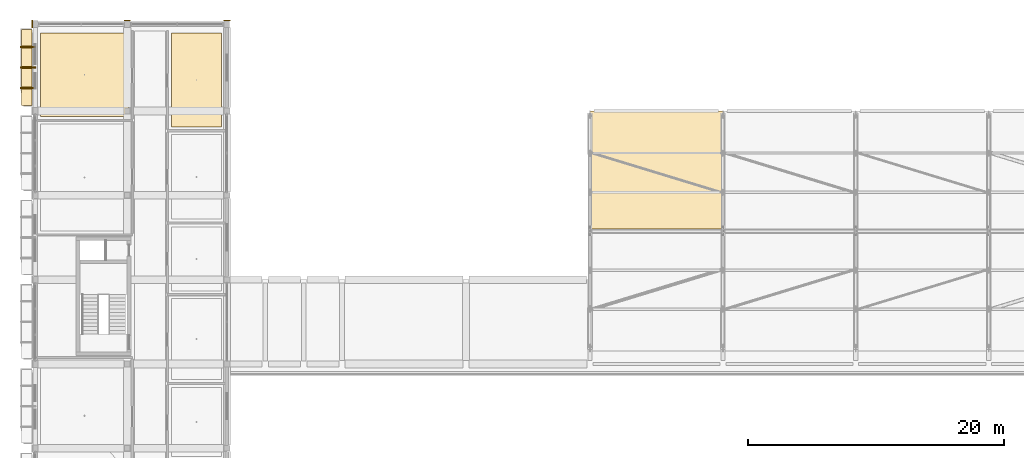
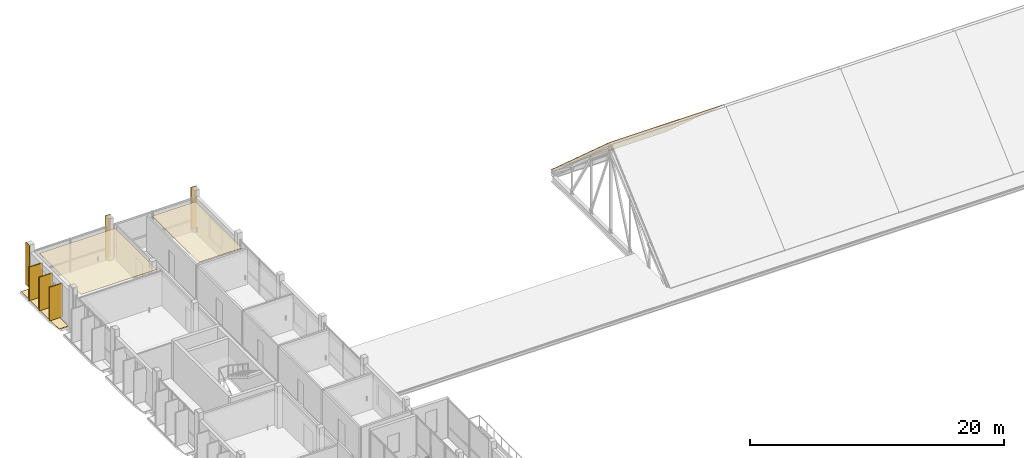
# One storey, part 81 of 86: 10 coverings, 3 shading devices.
"""IFC4 building model written with IfcOpenShell, lengths in metres."""

from ifc_helpers import new_model, si_unit, derived_unit, direction, frame, origin, origin_2d, place, context, subcontext, project, spatial, polyline, rectangle, outline, extrude, material, layer, layer_set, type_object, element, save


model = new_model("IFC4")

# Units and contexts
model_context = context("Model", 3, precision=1e-05, world=origin(), true_north=direction((0.0, 1.0)))
body_context = subcontext(model_context, "Body", "Model", "MODEL_VIEW")
ifc_project = project(units=[si_unit("LENGTHUNIT", "METRE"), si_unit("AREAUNIT", "SQUARE_METRE"), si_unit("VOLUMEUNIT", "CUBIC_METRE"), si_unit("PLANEANGLEUNIT", "RADIAN"), si_unit("MASSUNIT", "GRAM", prefix="KILO"), derived_unit("THERMALTRANSMITTANCEUNIT", [(si_unit("POWERUNIT", "WATT"), 1), (si_unit("LENGTHUNIT", "METRE"), -2), (si_unit("THERMODYNAMICTEMPERATUREUNIT", "KELVIN"), -1)])], contexts=[model_context])

# Site, building, storey
site_placement = place(None, origin())
site = spatial("IfcSite", under=ifc_project, at=site_placement, CompositionType="ELEMENT")
building_placement = place(site_placement, origin())
building = spatial("IfcBuilding", under=site, at=building_placement, Name="Braskholm Square Health Centre", CompositionType="ELEMENT")
storey_placement = place(building_placement, frame((0.0, 0.0, 13.5)))
storey = spatial("IfcBuildingStorey", under=building, at=storey_placement, Name="L04", CompositionType="ELEMENT", Elevation=13.5)

# Coverings
ifc_material_1 = material(Name="Fire-rated gypsum board barrier")
ifc_layer_1 = layer(ifc_material_1, 0.02490234375)
ifc_layer_set_1 = layer_set([ifc_layer_1], Name="Fire-rated gypsum board barrier")
covering_type_1 = type_object("IfcCoveringType", Name="AcousticClinicalCeilingTile", PredefinedType="CEILING", material=ifc_layer_set_1)
covering_1_placement = place(storey_placement, frame((0.0, 0.0, 3.31494140625)))
element("IfcCovering", 1, at=covering_1_placement, inside=storey, type_object=covering_type_1, Name="Acoustic ceiling L04-108", PredefinedType="CEILING", context=body_context, shape_type="SweptSolid", body=[
    extrude(outline(polyline([(4.6201171875, 106.56005859375), (11.5, 106.56005859375), (11.5, 113.10009765625), (4.6201171875, 113.10009765625), (4.6201171875, 106.56005859375)])), origin(), (0.0, 0.0, 1.0), 0.025146484375),
])
covering_2_placement = place(storey_placement, frame((0.0, 0.0, 3.31494140625)))
element("IfcCovering", 2, at=covering_2_placement, inside=storey, type_object=covering_type_1, Name="Acoustic ceiling L04-119", PredefinedType="CEILING", context=body_context, shape_type="SweptSolid", body=[
    extrude(outline(polyline([(14.85009765625, 105.75), (18.780029296875, 105.75), (18.780029296875, 113.10009765625), (14.85009765625, 113.10009765625), (14.85009765625, 105.75)])), origin(), (0.0, 0.0, 1.0), 0.025146484375),
])

# Shading devices
ifc_material_2 = material(Name="Thermally modified western red cedar with bronze trim", Category="wood")
shading_device_type = type_object("IfcShadingDeviceType", Name="CedarBronzeShadingFin1250", PredefinedType="USERDEFINED", material=ifc_material_2)
for number, where, z_axis, x_axis, name in (
    (3, (3.635009765625, 108.800048828125, 0.0), (0.0, 0.0, 1.0), (1.0, 0.0, 0.0), "Warm cedar-bronze vertical shading slat 0151"),
    (4, (3.635009765625, 110.39990234375, 0.0), (0.0, 0.0, 1.0), (1.0, 0.0, 0.0), "Warm cedar-bronze vertical shading slat 0152"),
    (5, (3.635009765625, 112.0, 0.0), (0.0, 0.0, 1.0), (1.0, 0.0, 0.0), "Warm cedar-bronze vertical shading slat 0153"),
):
    element("IfcShadingDevice", number, at=place(storey_placement, frame(where, z_axis=z_axis, x_axis=x_axis)), inside=storey, type_object=shading_device_type, Name=name, ObjectType="FIN", PredefinedType="USERDEFINED", context=body_context, shape_type="SweptSolid", body=[
        extrude(rectangle(XDim=1.25, YDim=0.0849609375, at=origin_2d()), origin(), (0.0, 0.0, 1.0), 3.25),
    ])

# Coverings
ifc_layer_2 = layer(ifc_material_2, 0.0849609375)
ifc_layer_set_2 = layer_set([ifc_layer_2], Name="Thermally modified western red cedar with bronze trim")
covering_type_2 = type_object("IfcCoveringType", Name="CedarBronzeSlatCladding", PredefinedType="CLADDING", material=ifc_layer_set_2)
for number, where, z_axis, x_axis, name in (
    (6, (3.6298828125, 108.800048828125, 0.0), (0.0, 0.0, 1.0), (1.0, 0.0, 0.0), "Cedar-bronze shading slat trim 0593"),
    (7, (3.6298828125, 110.39990234375, 0.0), (0.0, 0.0, 1.0), (1.0, 0.0, 0.0), "Cedar-bronze shading slat trim 0594"),
    (8, (3.6298828125, 112.0, 0.0), (0.0, 0.0, 1.0), (1.0, 0.0, 0.0), "Cedar-bronze shading slat trim 0595"),
):
    element("IfcCovering", number, at=place(storey_placement, frame(where, z_axis=z_axis, x_axis=x_axis)), inside=storey, type_object=covering_type_2, Name=name, PredefinedType="CLADDING", context=body_context, shape_type="SweptSolid", body=[
        extrude(rectangle(XDim=1.179931640625, YDim=0.094970703125, at=origin_2d()), origin(), (0.0, 0.0, 1.0), 3.25),
    ])
ifc_material_3 = material(Name="Intensive botanical sedum and native prairie garden bed")
ifc_layer_3 = layer(ifc_material_3, 0.02490234375)
ifc_layer_set_3 = layer_set([ifc_layer_3], Name="Intensive botanical sedum and native prairie garden bed")
covering_type_3 = type_object("IfcCoveringType", Name="PlantedTerraceGardenBed", PredefinedType="ROOFING", material=ifc_layer_set_3)
covering_3_placement = place(storey_placement, origin())
element("IfcCovering", 9, at=covering_3_placement, inside=storey, type_object=covering_type_3, Name="West floor planter ledge sedum strip 0596", PredefinedType="ROOFING", context=body_context, shape_type="SweptSolid", body=[
    extrude(outline(polyline([(3.1201171875, 107.419921875), (3.949951171875, 107.419921875), (3.949951171875, 113.3798828125), (3.1201171875, 113.3798828125), (3.1201171875, 107.419921875)])), origin(), (0.0, 0.0, 1.0), 0.02490234375),
])
ifc_material_4 = material(Name="Precast concrete C40/50 architectural white", Category="concrete")
ifc_layer_4 = layer(ifc_material_4, 0.054931640625)
ifc_layer_set_4 = layer_set([ifc_layer_4], Name="Precast concrete C40/50 architectural white")
covering_type_4 = type_object("IfcCoveringType", Name="PrecastWhiteColumnCasing", PredefinedType="CLADDING", material=ifc_layer_set_4)
covering_4_placement = place(storey_placement, frame((3.965087890625, 113.800048828125, 0.0), z_axis=(0.0, 0.0, 1.0), x_axis=(1.0, 0.0, 0.0)))
element("IfcCovering", 10, at=covering_4_placement, inside=storey, type_object=covering_type_4, Name="Giant-order white precast column casing 0148", PredefinedType="CLADDING", context=body_context, shape_type="SweptSolid", body=[
    extrude(rectangle(XDim=0.06005859375, YDim=0.60009765625, at=origin_2d()), origin(), (0.0, 0.0, 1.0), 4.050048828125),
])
for number, where, z_axis, x_axis, name in (
    (11, (11.39990234375, 114.0849609375, 0.0), (0.0, 0.0, 1.0), (1.0, 0.0, 0.0), "Giant-order white precast column casing 0163"),
    (12, (19.199951171875, 114.0849609375, 0.0), (0.0, 0.0, 1.0), (1.0, 0.0, 0.0), "Giant-order white precast column casing 0175"),
):
    element("IfcCovering", number, at=place(storey_placement, frame(where, z_axis=z_axis, x_axis=x_axis)), inside=storey, type_object=covering_type_4, Name=name, PredefinedType="CLADDING", context=body_context, shape_type="SweptSolid", body=[
        extrude(rectangle(XDim=0.5, YDim=0.06005859375, at=origin_2d()), origin(), (0.0, 0.0, 1.0), 4.050048828125),
    ])
ifc_material_5 = material(Name="Patinated standing-seam architectural copper")
ifc_layer_5 = layer(ifc_material_5, 0.0400390625)
ifc_layer_set_5 = layer_set([ifc_layer_5], Name="Patinated standing-seam architectural copper")
covering_type_5 = type_object("IfcCoveringType", Name="StandingSeamCopperRoofing", PredefinedType="ROOFING", material=ifc_layer_set_5)
covering_5_placement = place(storey_placement, frame((58.0, 107.0, 0.0400390625), z_axis=(0.0, 0.665468453999, 0.746425975386), x_axis=(-1.0, 0.0, 0.0)))
element("IfcCovering", 13, at=covering_5_placement, inside=storey, type_object=covering_type_5, Name="Standing-seam copper roof Bay 1 North", PredefinedType="ROOFING", context=body_context, shape_type="SweptSolid", body=[
    extrude(outline(polyline([(0.0, 0.0), (10.39990234375, 0.0), (10.39990234375, 12.352156820843742), (0.0, 12.352156820843742), (0.0, 0.0)])), origin(), (0.0, 0.0, -1.0), 0.0400390625),
])

save(model, "model.ifc")
